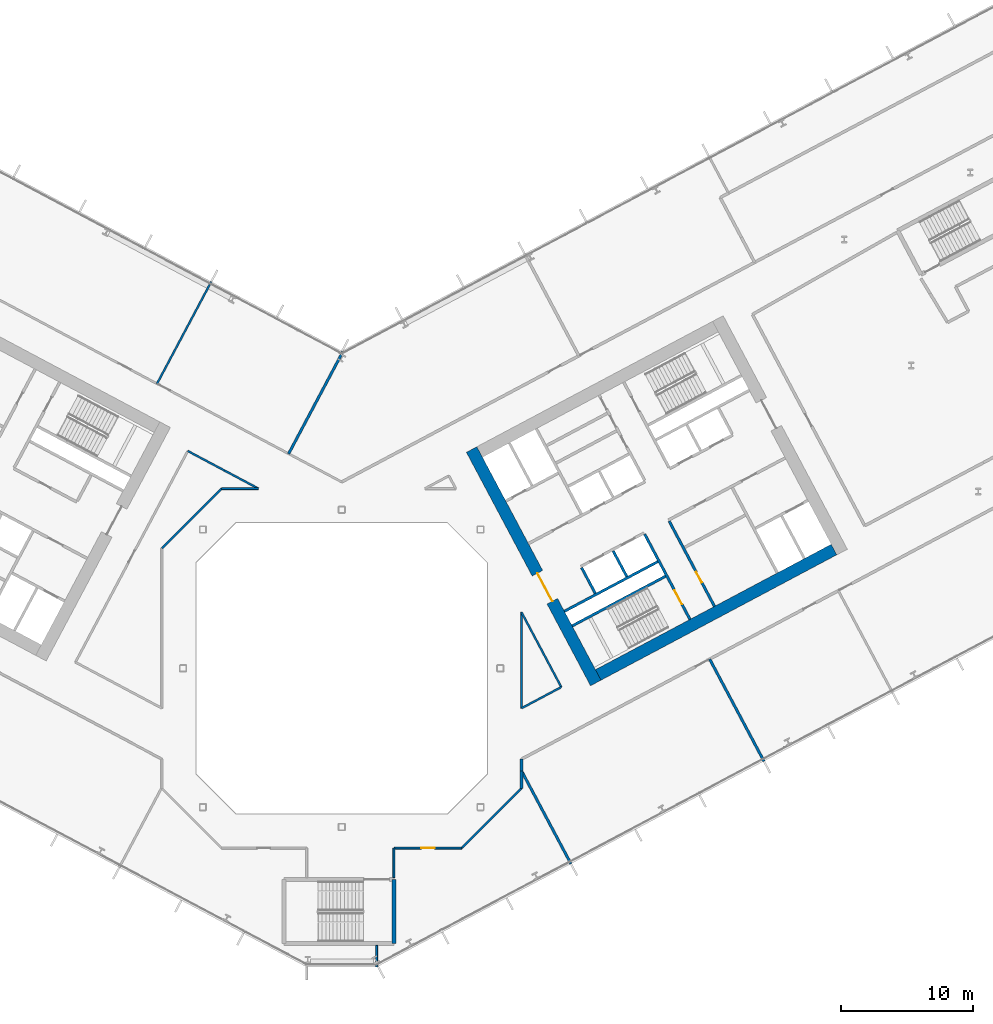
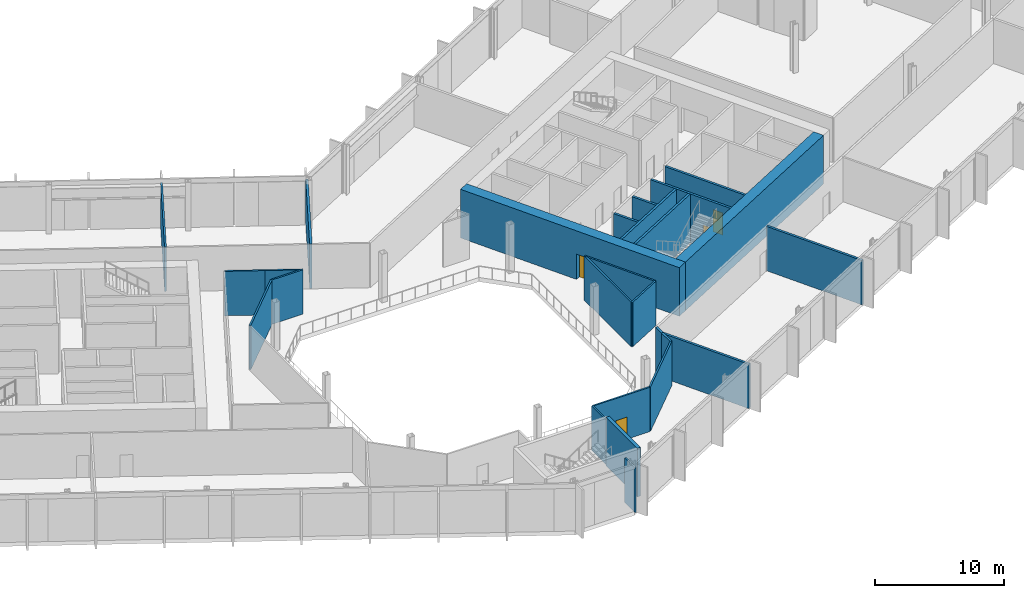
# One storey, part 16 of 30: 26 walls, 4 doors, 4 openings.
"""IFC4 building model written with IfcOpenShell, lengths in metres."""

from ifc_helpers import new_model, si_unit, direction, frame, frame_2d, origin, place, context, subcontext, project, spatial, rectangle, extrude, material, layer, layer_set, type_object, element, fill, save


model = new_model("IFC4")

# Units and contexts
model_context = context("Model", 3, precision=1e-05, world=origin(), true_north=direction((0.0, 1.0)))
body_context = subcontext(model_context, "Body", "Model", "MODEL_VIEW")
ifc_project = project(units=[si_unit("LENGTHUNIT", "METRE"), si_unit("AREAUNIT", "SQUARE_METRE"), si_unit("VOLUMEUNIT", "CUBIC_METRE"), si_unit("PLANEANGLEUNIT", "RADIAN"), si_unit("MASSUNIT", "GRAM", prefix="KILO")], contexts=[model_context])

# Site, building, storey
site_placement = place(None, origin())
site = spatial("IfcSite", under=ifc_project, at=site_placement, CompositionType="ELEMENT")
building_placement = place(site_placement, origin())
building = spatial("IfcBuilding", under=site, at=building_placement, Name="Cormorant Relay Tower", CompositionType="ELEMENT")
storey_placement = place(building_placement, frame((0.0, 0.0, 80.0)))
storey = spatial("IfcBuildingStorey", under=building, at=storey_placement, Name="L15", CompositionType="ELEMENT", Elevation=80.0)

# Walls
ifc_material_1 = material(Name="Concrete 40 MPa", Category="concrete")
ifc_layer_1 = layer(ifc_material_1, 0.199951171875)
ifc_layer_set_1 = layer_set([ifc_layer_1], Name="Core internal wall 200")
wall_type_1 = type_object("IfcWallType", Name="Core internal wall 200", PredefinedType="SOLIDWALL", material=ifc_layer_set_1)
wall_1_placement = place(storey_placement, frame((21.567626953125, 6.9375, 0.0), z_axis=(0.0, 0.0, 1.0), x_axis=(-0.469533832133, 0.882914480843, 0.0)))
element("IfcWall", 1, at=wall_1_placement, inside=storey, type_object=wall_type_1, Name="L15 core B shaft and room wall", PredefinedType="SOLIDWALL", context=body_context, shape_type="SweptSolid", body=[
    extrude(rectangle(XDim=2.199951171875, YDim=0.199951171875, at=frame_2d((1.10009765625, 0.0))), origin(), (0.0, 0.0, 1.0), 4.60009765625),
])
ifc_material_2 = material(Name="Concrete 50 MPa", Category="concrete")
ifc_layer_2 = layer(ifc_material_2, 0.199951171875)
ifc_layer_set_2 = layer_set([ifc_layer_2], Name="Core shaft wall 200")
wall_type_2 = type_object("IfcWallType", Name="Core shaft wall 200", PredefinedType="SHEAR", material=ifc_layer_set_2)
wall_2_placement = place(storey_placement, frame((19.18359375, 5.669921875, 0.0), z_axis=(0.0, 0.0, 1.0), x_axis=(-0.4694473164, 0.882960484464, 0.0)))
element("IfcWall", 2, at=wall_2_placement, inside=storey, type_object=wall_type_2, Name="L15 core B shaft wall", PredefinedType="SHEAR", context=body_context, shape_type="SweptSolid", body=[
    extrude(rectangle(XDim=2.199951171875, YDim=0.199951171875, at=frame_2d((1.10009765625, 0.0))), origin(), (0.0, 0.0, 1.0), 4.60009765625),
])

# Wall, opening, door
wall_3_placement = place(storey_placement, frame((26.345947265625, 3.701904296875, 0.0), z_axis=(0.0, 0.0, 1.0), x_axis=(-0.469480409012, 0.88294288918, 0.0)))
wall_3 = element("IfcWall", 3, at=wall_3_placement, inside=storey, type_object=wall_type_2, Name="L15 core B shaft wall", PredefinedType="SHEAR", context=body_context, shape_type="SweptSolid", body=[
    extrude(rectangle(XDim=7.300048828125, YDim=0.199951171875, at=frame_2d((3.64990234375, 0.0))), origin(), (0.0, 0.0, 1.0), 4.60009765625),
])
opening_1_placement = place(wall_3_placement, frame((1.300048828125, 0.0, 0.0)))
opening_1 = element("IfcOpeningElement", 4, at=opening_1_placement, cuts=wall_3, Name="Opening CDB-026", PredefinedType="OPENING", context=body_context, shape_type="SweptSolid", body=[
    extrude(rectangle(XDim=1.199951171875, YDim=2.10009765625, at=frame_2d((0.60009765625, 1.050048828125))), frame((0.0, 0.10986328125, 0.0), z_axis=(0.0, -1.0, 0.0), x_axis=(1.0, 0.0, 0.0)), (0.0, 0.0, 1.0), 0.219970703125),
])
ifc_material_3 = material(Name="Steel fire door", Category="steel")
door_type_1 = type_object("IfcDoorType", Name="Core stair door 1200x2100", OperationType="SINGLE_SWING_LEFT", PredefinedType="DOOR", material=ifc_material_3)
door_1_placement = place(opening_1_placement, origin())
door_1 = element("IfcDoor", 5, at=door_1_placement, inside=storey, type_object=door_type_1, Name="Core stair door 1200x2100", OperationType="SINGLE_SWING_RIGHT", OverallHeight=2.10009765625, OverallWidth=1.199951171875, PredefinedType="DOOR", context=body_context, shape_type="SweptSolid", body=[
    extrude(rectangle(XDim=1.199951171875, YDim=2.10009765625, at=frame_2d((0.60009765625, 1.050048828125))), frame((0.0, 0.02490234375, 0.0), z_axis=(0.0, -1.0, 0.0), x_axis=(1.0, 0.0, 0.0)), (0.0, 0.0, 1.0), 0.050048828125),
])
fill(opening_1, door_1)

wall_4_placement = place(storey_placement, frame((28.199951171875, 4.687744140625, 0.0), z_axis=(0.0, 0.0, 1.0), x_axis=(-0.469454336211, 0.882956752176, 0.0)))
wall_4 = element("IfcWall", 6, at=wall_4_placement, inside=storey, type_object=wall_type_2, Name="L15 core B shaft wall", PredefinedType="SHEAR", context=body_context, shape_type="SweptSolid", body=[
    extrude(rectangle(XDim=7.300048828125, YDim=0.199951171875, at=frame_2d((3.64990234375, 0.0))), origin(), (0.0, 0.0, 1.0), 4.60009765625),
])
opening_2_placement = place(wall_4_placement, frame((2.050048828125, 0.0, 0.0)))
opening_2 = element("IfcOpeningElement", 7, at=opening_2_placement, cuts=wall_4, Name="Opening CDD-137", PredefinedType="OPENING", context=body_context, shape_type="SweptSolid", body=[
    extrude(rectangle(XDim=0.89990234375, YDim=2.10009765625, at=frame_2d((0.449951171875, 1.050048828125))), frame((0.0, 0.10986328125, 0.0), z_axis=(0.0, -1.0, 0.0), x_axis=(1.0, 0.0, 0.0)), (0.0, 0.0, 1.0), 0.219970703125),
])
ifc_material_4 = material(Name="Steel fire door", Category="steel")
door_type_2 = type_object("IfcDoorType", Name="Core room door 900x2100", OperationType="SINGLE_SWING_LEFT", PredefinedType="DOOR", material=ifc_material_4)
door_2_placement = place(opening_2_placement, frame((0.89990234375, 0.0, 0.0), z_axis=(0.0, 0.0, 1.0), x_axis=(-1.0, 0.0, 0.0)))
door_2 = element("IfcDoor", 8, at=door_2_placement, inside=storey, type_object=door_type_2, Name="Core room door 900x2100", OperationType="SINGLE_SWING_LEFT", OverallHeight=2.10009765625, OverallWidth=0.89990234375, PredefinedType="DOOR", context=body_context, shape_type="SweptSolid", body=[
    extrude(rectangle(XDim=0.89990234375, YDim=2.10009765625, at=frame_2d((0.449951171875, 1.050048828125))), frame((0.0, 0.02490234375, 0.0), z_axis=(0.0, -1.0, 0.0), x_axis=(1.0, 0.0, 0.0)), (0.0, 0.0, 1.0), 0.050048828125),
])
fill(opening_2, door_2)

# Walls
for number, where, z_axis, x_axis, name in (
    (9, (17.43359375, 3.210205078125, 0.0), (0.0, 0.0, 1.0), (0.882940221191, 0.469485426614, 0.0), "L15 core B shaft wall"),
    (10, (16.8466796875, 4.31396484375, 0.0), (0.0, 0.0, 1.0), (0.882940221191, 0.469485426614, 0.0), "L15 core B shaft wall"),
):
    element("IfcWall", number, at=place(storey_placement, frame(where, z_axis=z_axis, x_axis=x_axis)), inside=storey, type_object=wall_type_2, Name=name, PredefinedType="SHEAR", context=body_context, shape_type="SweptSolid", body=[
        extrude(rectangle(XDim=8.0, YDim=0.199951171875, at=frame_2d((4.0, 0.0))), origin(), (0.0, 0.0, 1.0), 4.60009765625),
    ])

# Wall, opening, door
ifc_material_5 = material(Name="Concrete 70 MPa", Category="concrete")
ifc_layer_3 = layer(ifc_material_5, 0.89990234375)
ifc_layer_set_3 = layer_set([ifc_layer_3], Name="Core wall 900")
wall_type_3 = type_object("IfcWallType", Name="Core wall 900", PredefinedType="SHEAR", material=ifc_layer_set_3)
wall_5_placement = place(storey_placement, frame((19.21923828125, -1.106689453125, 0.0), z_axis=(0.0, 0.0, 1.0), x_axis=(-0.46947084998, 0.882947971864, 0.0)))
wall_5 = element("IfcWall", 11, at=wall_5_placement, inside=storey, type_object=wall_type_3, Name="L15 core B wall", PredefinedType="SHEAR", context=body_context, shape_type="SweptSolid", body=[
    extrude(rectangle(XDim=20.0, YDim=0.89990234375, at=frame_2d((10.0, 0.0))), origin(), (0.0, 0.0, 1.0), 4.60009765625),
])
opening_3_placement = place(wall_5_placement, frame((7.0, 0.0, 0.0)))
opening_3 = element("IfcOpeningElement", 12, at=opening_3_placement, cuts=wall_5, Name="Opening CDA-019", PredefinedType="OPENING", context=body_context, shape_type="SweptSolid", body=[
    extrude(rectangle(XDim=2.39990234375, YDim=2.39990234375, at=frame_2d((1.199951171875, 1.199951171875))), frame((0.0, 0.4599609375, 0.0), z_axis=(0.0, -1.0, 0.0), x_axis=(1.0, 0.0, 0.0)), (0.0, 0.0, 1.0), 0.919921875),
])
ifc_material_6 = material(Name="Steel fire door", Category="steel")
door_type_3 = type_object("IfcDoorType", Name="Core lobby door 2400x2400", OperationType="DOUBLE_DOOR_SINGLE_SWING", PredefinedType="DOOR", material=ifc_material_6)
door_3_placement = place(opening_3_placement, frame((2.39990234375, 0.0, 0.0), z_axis=(0.0, 0.0, 1.0), x_axis=(-1.0, 0.0, 0.0)))
door_3 = element("IfcDoor", 13, at=door_3_placement, inside=storey, type_object=door_type_3, Name="Core lobby door 2400x2400", OperationType="DOUBLE_DOOR_SINGLE_SWING", OverallHeight=2.39990234375, OverallWidth=2.39990234375, PredefinedType="DOOR", context=body_context, shape_type="SweptSolid", body=[
    extrude(rectangle(XDim=2.39990234375, YDim=2.39990234375, at=frame_2d((1.199951171875, 1.199951171875))), frame((0.0, 0.02490234375, 0.0), z_axis=(0.0, -1.0, 0.0), x_axis=(1.0, 0.0, 0.0)), (0.0, 0.0, 1.0), 0.050048828125),
])
fill(opening_3, door_3)

# Walls
wall_6_placement = place(storey_placement, frame((19.4052734375, -0.498046875, 0.0), z_axis=(0.0, 0.0, 1.0), x_axis=(0.88294509198, 0.469476266226, 0.0)))
element("IfcWall", 14, at=wall_6_placement, inside=storey, type_object=wall_type_3, Name="L15 core B wall", PredefinedType="SHEAR", context=body_context, shape_type="SweptSolid", body=[
    extrude(rectangle(XDim=20.199951171875, YDim=0.89990234375, at=frame_2d((10.10009765625, 0.0))), origin(), (0.0, 0.0, 1.0), 4.60009765625),
])
ifc_material_7 = material(Name="Fire-rated gypsum board partition")
ifc_layer_4 = layer(ifc_material_7, 0.199951171875)
ifc_layer_set_4 = layer_set([ifc_layer_4], Name="Fire-rated gypsum partition 200")
wall_type_4 = type_object("IfcWallType", Name="Fire-rated gypsum partition 200", PredefinedType="PARTITIONING", material=ifc_layer_set_4)
wall_7_placement = place(storey_placement, frame((0.10498046875, 23.98388671875, 0.0), z_axis=(0.0, 0.0, 1.0), x_axis=(-0.469364726907, -0.883004390213, 0.0)))
element("IfcWall", 15, at=wall_7_placement, inside=storey, type_object=wall_type_4, Name="wall/L15/part/45", PredefinedType="PARTITIONING", context=body_context, shape_type="SweptSolid", body=[
    extrude(rectangle(XDim=8.775390625, YDim=0.199951171875, at=frame_2d((4.3876953125, 0.0))), origin(), (0.0, 0.0, 1.0), 4.199951171875),
])
wall_8_placement = place(storey_placement, frame((13.60009765625, -7.756103515625, 0.0), z_axis=(0.0, 0.0, 1.0), x_axis=(0.0, -1.0, 0.0)))
element("IfcWall", 16, at=wall_8_placement, inside=storey, type_object=wall_type_4, Name="wall/L15/part/51", PredefinedType="PARTITIONING", context=body_context, shape_type="SweptSolid", body=[
    extrude(rectangle(XDim=1.32080078125, YDim=0.199951171875, at=frame_2d((0.660400390625, 0.0))), origin(), (0.0, 0.0, 1.0), 4.199951171875),
])
wall_9_placement = place(storey_placement, frame((13.60009765625, -7.75, 0.0), z_axis=(0.0, 0.0, 1.0), x_axis=(0.469489555723, -0.882938025609, 0.0)))
element("IfcWall", 17, at=wall_9_placement, inside=storey, type_object=wall_type_4, Name="wall/L15/part/54", PredefinedType="PARTITIONING", context=body_context, shape_type="SweptSolid", body=[
    extrude(rectangle(XDim=7.972412109375, YDim=0.199951171875, at=frame_2d((3.986328125, 0.0))), origin(), (0.0, 0.0, 1.0), 4.199951171875),
])
wall_10_placement = place(storey_placement, frame((13.60009765625, -6.868896484375, 0.0), z_axis=(0.0, 0.0, 1.0), x_axis=(0.0, -1.0, 0.0)))
element("IfcWall", 18, at=wall_10_placement, inside=storey, type_object=wall_type_4, Name="wall/L15/part/55", PredefinedType="PARTITIONING", context=body_context, shape_type="SweptSolid", body=[
    extrude(rectangle(XDim=0.88720703125, YDim=0.199951171875, at=frame_2d((0.443603515625, 0.0))), origin(), (0.0, 0.0, 1.0), 4.199951171875),
])
wall_11_placement = place(storey_placement, frame((27.8349609375, 0.698974609375, 0.0), z_axis=(0.0, 0.0, 1.0), x_axis=(0.469540779382, -0.882910786262, 0.0)))
element("IfcWall", 19, at=wall_11_placement, inside=storey, type_object=wall_type_4, Name="wall/L15/part/56", PredefinedType="PARTITIONING", context=body_context, shape_type="SweptSolid", body=[
    extrude(rectangle(XDim=8.749267578125, YDim=0.199951171875, at=frame_2d((4.37451171875, 0.0))), origin(), (0.0, 0.0, 1.0), 4.199951171875),
])
ifc_material_8 = material(Name="Gypsum board partition")
ifc_layer_5 = layer(ifc_material_8, 0.14990234375)
ifc_layer_set_5 = layer_set([ifc_layer_5], Name="Gypsum board partition 150")
wall_type_5 = type_object("IfcWallType", Name="Gypsum board partition 150", PredefinedType="PARTITIONING", material=ifc_layer_set_5)
wall_12_placement = place(storey_placement, frame((-9.864013671875, 29.2548828125, 0.0), z_axis=(0.0, 0.0, 1.0), x_axis=(-0.469472759909, -0.882946956336, 0.0)))
element("IfcWall", 20, at=wall_12_placement, inside=storey, type_object=wall_type_5, Name="wall/L15/part/39", PredefinedType="PARTITIONING", context=body_context, shape_type="SweptSolid", body=[
    extrude(rectangle(XDim=8.75, YDim=0.14990234375, at=frame_2d((4.375, 0.0))), origin(), (0.0, 0.0, 1.0), 4.199951171875),
])
wall_13_placement = place(storey_placement, frame((-11.64404296875, 16.44091796875, 0.0), z_axis=(0.0, 0.0, 1.0), x_axis=(0.882853947977, -0.469647640834, 0.0)))
element("IfcWall", 21, at=wall_13_placement, inside=storey, type_object=wall_type_5, Name="wall/L15/part/41", PredefinedType="PARTITIONING", context=body_context, shape_type="SweptSolid", body=[
    extrude(rectangle(XDim=3.1533203125, YDim=0.14990234375, at=frame_2d((1.57666015625, 0.0))), origin(), (0.0, 0.0, 1.0), 4.199951171875),
])
wall_14_placement = place(storey_placement, frame((-13.60009765625, 9.076904296875, 0.0), z_axis=(0.0, 0.0, 1.0), x_axis=(0.707106781187, 0.707106781187, 0.0)))
element("IfcWall", 22, at=wall_14_placement, inside=storey, type_object=wall_type_5, Name="wall/L15/part/44", PredefinedType="PARTITIONING", context=body_context, shape_type="SweptSolid", body=[
    extrude(rectangle(XDim=6.396728515625, YDim=0.14990234375, at=frame_2d((3.1982421875, 0.0))), origin(), (0.0, 0.0, 1.0), 4.199951171875),
])
wall_15_placement = place(storey_placement, frame((-6.301025390625, 13.60009765625, 0.0), z_axis=(0.0, 0.0, 1.0), x_axis=(-1.0, 0.0, 0.0)))
element("IfcWall", 23, at=wall_15_placement, inside=storey, type_object=wall_type_5, Name="wall/L15/part/46", PredefinedType="PARTITIONING", context=body_context, shape_type="SweptSolid", body=[
    extrude(rectangle(XDim=2.77587890625, YDim=0.14990234375, at=frame_2d((1.387939453125, 0.0))), origin(), (0.0, 0.0, 1.0), 4.199951171875),
])
wall_16_placement = place(storey_placement, frame((-6.301025390625, 13.60009765625, 0.0), z_axis=(0.0, 0.0, 1.0), x_axis=(-0.883065539011, 0.469249671083, 0.0)))
element("IfcWall", 24, at=wall_16_placement, inside=storey, type_object=wall_type_5, Name="wall/L15/part/47", PredefinedType="PARTITIONING", context=body_context, shape_type="SweptSolid", body=[
    extrude(rectangle(XDim=2.89794921875, YDim=0.14990234375, at=frame_2d((1.448974609375, 0.0))), origin(), (0.0, 0.0, 1.0), 4.199951171875),
])
wall_17_placement = place(storey_placement, frame((2.64892578125, -22.58203125, 0.0), z_axis=(0.0, 0.0, 1.0), x_axis=(0.0, 1.0, 0.0)))
element("IfcWall", 25, at=wall_17_placement, inside=storey, type_object=wall_type_5, Name="wall/L15/part/49", PredefinedType="PARTITIONING", context=body_context, shape_type="SweptSolid", body=[
    extrude(rectangle(XDim=1.6220703125, YDim=0.14990234375, at=frame_2d((0.81103515625, 0.0))), origin(), (0.0, 0.0, 1.0), 4.199951171875),
])
wall_18_placement = place(storey_placement, frame((3.949951171875, -13.60009765625, 0.0), z_axis=(0.0, 0.0, 1.0), x_axis=(0.0, -1.0, 0.0)))
element("IfcWall", 26, at=wall_18_placement, inside=storey, type_object=wall_type_5, Name="wall/L15/part/50", PredefinedType="PARTITIONING", context=body_context, shape_type="SweptSolid", body=[
    extrude(rectangle(XDim=2.239990234375, YDim=0.14990234375, at=frame_2d((1.1201171875, 0.0))), origin(), (0.0, 0.0, 1.0), 4.199951171875),
])
wall_19_placement = place(storey_placement, frame((13.60009765625, -9.076904296875, 0.0), z_axis=(0.0, 0.0, 1.0), x_axis=(-0.707106781187, -0.707106781187, 0.0)))
element("IfcWall", 27, at=wall_19_placement, inside=storey, type_object=wall_type_5, Name="wall/L15/part/52", PredefinedType="PARTITIONING", context=body_context, shape_type="SweptSolid", body=[
    extrude(rectangle(XDim=6.396728515625, YDim=0.14990234375, at=frame_2d((3.1982421875, 0.0))), origin(), (0.0, 0.0, 1.0), 4.199951171875),
])

# Wall, opening, door
wall_20_placement = place(storey_placement, frame((9.076904296875, -13.60009765625, 0.0), z_axis=(0.0, 0.0, 1.0), x_axis=(-1.0, 0.0, 0.0)))
wall_20 = element("IfcWall", 28, at=wall_20_placement, inside=storey, type_object=wall_type_5, Name="wall/L15/part/53", PredefinedType="PARTITIONING", context=body_context, shape_type="SweptSolid", body=[
    extrude(rectangle(XDim=5.091796875, YDim=0.14990234375, at=frame_2d((2.5458984375, 0.0))), origin(), (0.0, 0.0, 1.0), 4.199951171875),
])
opening_4_placement = place(wall_20_placement, frame((2.050048828125, 0.0, 0.0)))
opening_4 = element("IfcOpeningElement", 29, at=opening_4_placement, cuts=wall_20, Name="Opening D1-043", PredefinedType="OPENING", context=body_context, shape_type="SweptSolid", body=[
    extrude(rectangle(XDim=1.0, YDim=2.10009765625, at=frame_2d((0.5, 1.050048828125))), frame((0.0, 0.0849609375, 0.0), z_axis=(0.0, -1.0, 0.0), x_axis=(1.0, 0.0, 0.0)), (0.0, 0.0, 1.0), 0.169921875),
])
ifc_material_9 = material(Name="Painted steel door", Category="steel")
door_type_4 = type_object("IfcDoorType", Name="Single door 1000 x 2100", OperationType="SINGLE_SWING_LEFT", PredefinedType="DOOR", material=ifc_material_9)
door_4_placement = place(opening_4_placement, origin())
door_4 = element("IfcDoor", 30, at=door_4_placement, inside=storey, type_object=door_type_4, Name="door/L15/3", OperationType="SINGLE_SWING_RIGHT", OverallHeight=2.10009765625, OverallWidth=1.0, PredefinedType="DOOR", context=body_context, shape_type="SweptSolid", body=[
    extrude(rectangle(XDim=1.0, YDim=2.10009765625, at=frame_2d((0.5, 1.050048828125))), frame((0.0, 0.02490234375, 0.0), z_axis=(0.0, -1.0, 0.0), x_axis=(1.0, 0.0, 0.0)), (0.0, 0.0, 1.0), 0.050048828125),
])
fill(opening_4, door_4)

# Walls
wall_21_placement = place(storey_placement, frame((13.60009765625, 4.242919921875, 0.0), z_axis=(0.0, 0.0, 1.0), x_axis=(0.0, -1.0, 0.0)))
element("IfcWall", 31, at=wall_21_placement, inside=storey, type_object=wall_type_5, Name="wall/L15/part/88", PredefinedType="PARTITIONING", context=body_context, shape_type="SweptSolid", body=[
    extrude(rectangle(XDim=7.261962890625, YDim=0.14990234375, at=frame_2d((3.630859375, 0.0))), origin(), (0.0, 0.0, 1.0), 4.199951171875),
])
wall_22_placement = place(storey_placement, frame((13.60009765625, -3.01904296875, 0.0), z_axis=(0.0, 0.0, 1.0), x_axis=(0.8828717575, 0.469614160571, 0.0)))
element("IfcWall", 32, at=wall_22_placement, inside=storey, type_object=wall_type_5, Name="wall/L15/part/89", PredefinedType="PARTITIONING", context=body_context, shape_type="SweptSolid", body=[
    extrude(rectangle(XDim=3.409423828125, YDim=0.14990234375, at=frame_2d((1.70458984375, 0.0))), origin(), (0.0, 0.0, 1.0), 4.199951171875),
])
wall_23_placement = place(storey_placement, frame((16.610107421875, -1.41796875, 0.0), z_axis=(0.0, 0.0, 1.0), x_axis=(-0.469479085554, 0.882943592891, 0.0)))
element("IfcWall", 33, at=wall_23_placement, inside=storey, type_object=wall_type_5, Name="wall/L15/part/90", PredefinedType="PARTITIONING", context=body_context, shape_type="SweptSolid", body=[
    extrude(rectangle(XDim=6.411376953125, YDim=0.14990234375, at=frame_2d((3.20556640625, 0.0))), origin(), (0.0, 0.0, 1.0), 4.199951171875),
])
ifc_material_10 = material(Name="Concrete 50 MPa", Category="concrete")
ifc_layer_6 = layer(ifc_material_10, 0.300048828125)
ifc_layer_set_6 = layer_set([ifc_layer_6], Name="Remote stair wall 300")
wall_type_6 = type_object("IfcWallType", Name="Remote stair wall 300", PredefinedType="SHEAR", material=ifc_layer_set_6)
wall_24_placement = place(storey_placement, frame((3.949951171875, -15.97509765625, 0.0), z_axis=(0.0, 0.0, 1.0), x_axis=(0.0, -1.0, 0.0)))
element("IfcWall", 34, at=wall_24_placement, inside=storey, type_object=wall_type_6, Name="L15 exit stair RK1 wall", PredefinedType="SHEAR", context=body_context, shape_type="SweptSolid", body=[
    extrude(rectangle(XDim=4.849853515625, YDim=0.300048828125, at=frame_2d((2.4248046875, 0.0))), origin(), (0.0, 0.0, 1.0), 4.60009765625),
])

save(model, "model.ifc")
